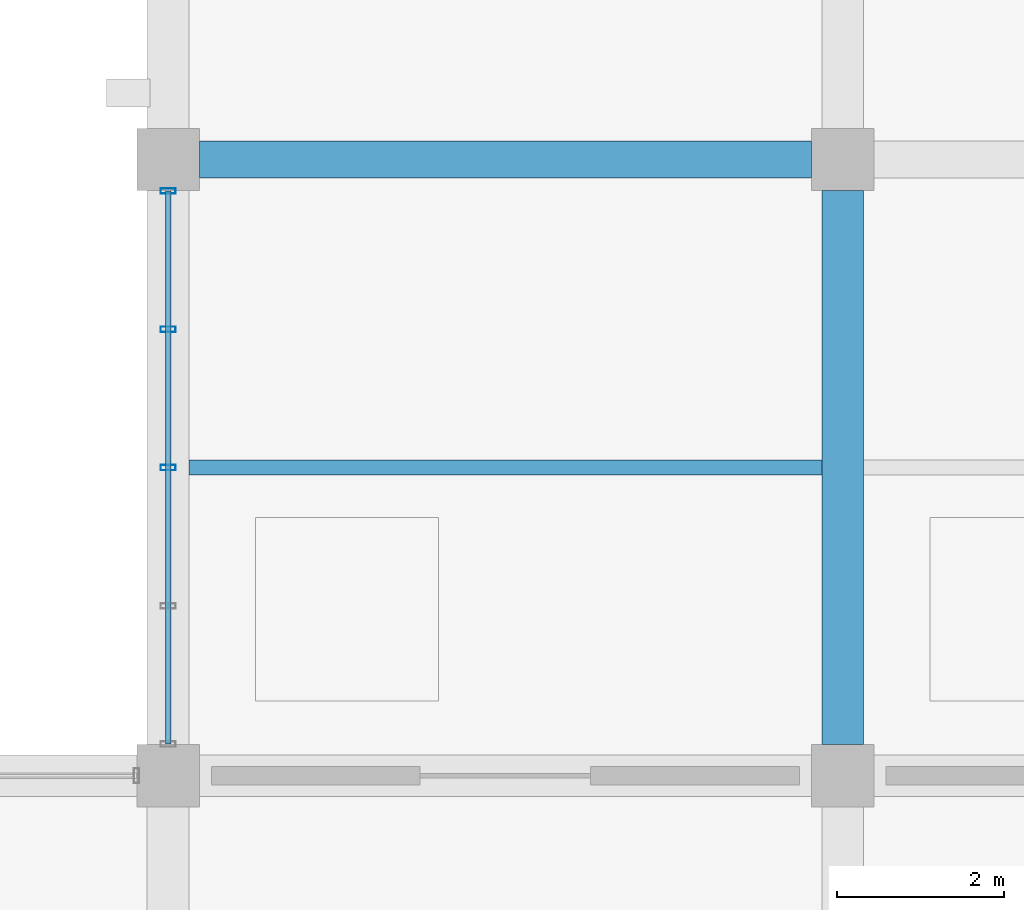
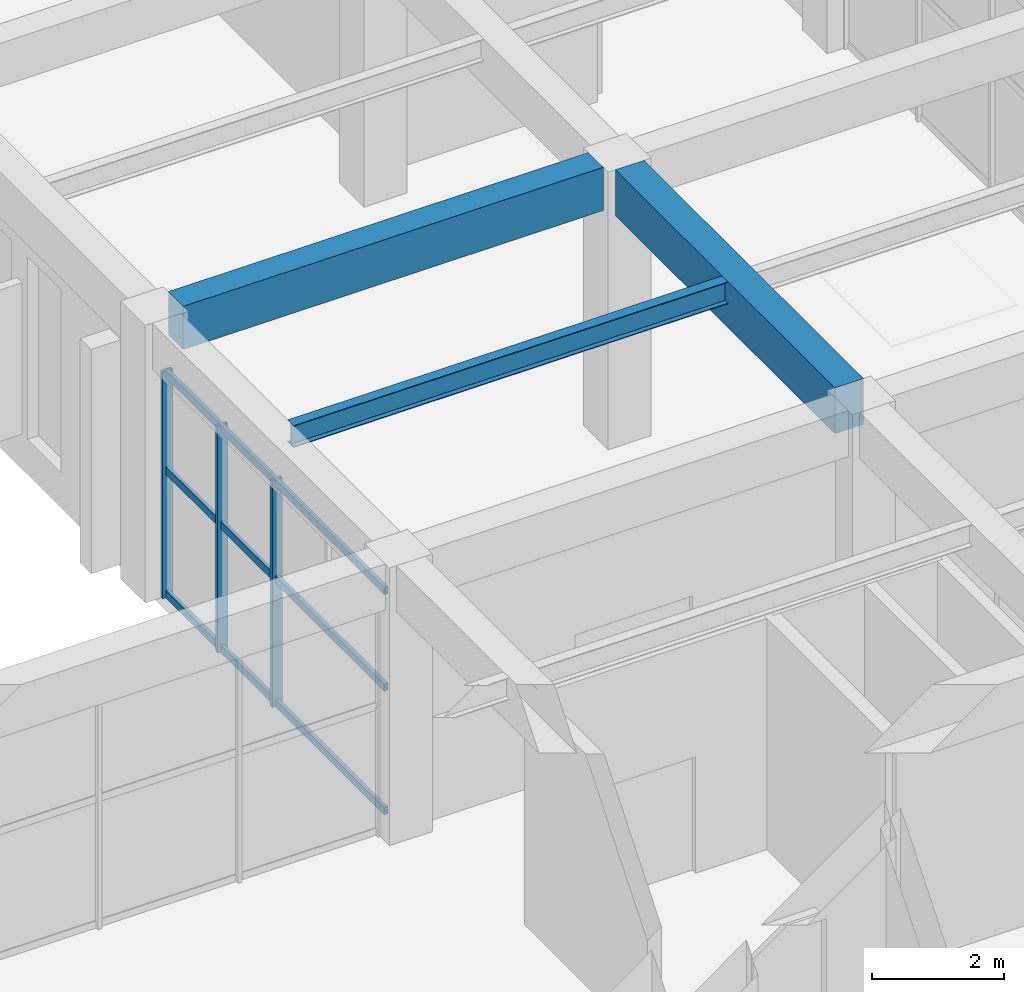
# One storey, part 18 of 140: 6 members, 3 beams, 1 element without a shape of its own.
"""IFC4 building model written with IfcOpenShell, lengths in metres."""

import ifcopenshell
import ifcopenshell.guid

model = None  # the IFC model being written
_history = None  # IfcOwnerHistory: only IFC2X3 demands one
_inside = {}  # id of a spatial element -> (the spatial element, [elements in it])
_under = {}  # id of a project, library or spatial element -> (it, [spatial elements below it])
_declared = {}  # id of a project -> (the project, [libraries it declares])
_typed = {}  # id of a type object -> (the type object, [elements of that type])
_made_of = {}  # id of a material, layer set ... -> (it, [elements and type objects made of it])


def new_model(schema):
    """Start an empty IFC model of exactly this schema.

    Asked for "IFC4X3", IfcOpenShell would pick the latest addendum, in which some entities
    have other attributes; the version numbers below select the first issue.
    IFC2X3 requires an IfcOwnerHistory on every rooted entity: one is made here for all.
    """
    global model, _history
    if schema == "IFC4X3":
        model = ifcopenshell.file(schema_version=(4, 3, 0, 0))
    else:
        model = ifcopenshell.file(schema=schema)
    _inside.clear()
    _under.clear()
    _declared.clear()
    _typed.clear()
    _made_of.clear()
    _history = None
    if model.schema == "IFC2X3":
        org = make("IfcOrganization", Name="unknown")
        user = make(
            "IfcPersonAndOrganization",
            ThePerson=make("IfcPerson", FamilyName="unknown"),
            TheOrganization=org,
        )
        app = make(
            "IfcApplication",
            ApplicationDeveloper=org,
            Version="unknown",
            ApplicationFullName="unknown",
            ApplicationIdentifier="unknown",
        )
        _history = make(
            "IfcOwnerHistory",
            OwningUser=user,
            OwningApplication=app,
            ChangeAction="ADDED",
            CreationDate=0,
        )
    return model


def make(cls, **values):
    """One entity of the class cls with the attributes given. An attribute that is None is left unset."""
    return model.create_entity(
        cls, **{name: value for name, value in values.items() if value is not None}
    )


def rooted(cls, **values):
    """An entity with a GlobalId (a new one), such as an element, a storey or a relation."""
    return make(cls, GlobalId=ifcopenshell.guid.new(), OwnerHistory=_history, **values)


def si_unit(unit_type, name, prefix=None):
    """IfcSIUnit, for example si_unit("LENGTHUNIT", "METRE", prefix="MILLI")."""
    return make("IfcSIUnit", UnitType=unit_type, Prefix=prefix, Name=name)


def assignment(units):
    """IfcUnitAssignment: the units of a project."""
    return None if units is None else make("IfcUnitAssignment", Units=units)


def point(xyz):
    """IfcCartesianPoint."""
    return None if xyz is None else make("IfcCartesianPoint", Coordinates=xyz)


def direction(xyz):
    """IfcDirection."""
    return None if xyz is None else make("IfcDirection", DirectionRatios=xyz)


def frame(location, z_axis=None, x_axis=None):
    """IfcAxis2Placement3D, a coordinate frame: its origin and axes. An axis left out is left unset."""
    return make(
        "IfcAxis2Placement3D",
        Location=point(location),
        Axis=direction(z_axis),
        RefDirection=direction(x_axis),
    )


def frame_2d(location, x_axis=None):
    """IfcAxis2Placement2D, a coordinate frame in the plane: its origin and x axis."""
    return make(
        "IfcAxis2Placement2D", Location=point(location), RefDirection=direction(x_axis)
    )


def origin():
    """The frame at (0, 0, 0) with its axes left unset."""
    return frame((0.0, 0.0, 0.0))


def origin_2d():
    """The frame at (0, 0) in the plane with its x axis left unset."""
    return frame_2d((0.0, 0.0))


def place(relative_to, where):
    """IfcLocalPlacement: puts the frame where relative to a parent placement (None: the world)."""
    return make(
        "IfcLocalPlacement", PlacementRelTo=relative_to, RelativePlacement=where
    )


def context(
    kind, dimensions, precision=None, world=None, true_north=None, identifier=None
):
    """IfcGeometricRepresentationContext, for example the 3D "Model" context."""
    return make(
        "IfcGeometricRepresentationContext",
        ContextIdentifier=identifier,
        ContextType=kind,
        CoordinateSpaceDimension=dimensions,
        Precision=precision,
        WorldCoordinateSystem=world,
        TrueNorth=true_north,
    )


def subcontext(parent, identifier, kind, view, scale=None):
    """IfcGeometricRepresentationSubContext, for example "Body" below "Model"."""
    return make(
        "IfcGeometricRepresentationSubContext",
        ContextIdentifier=identifier,
        ContextType=kind,
        ParentContext=parent,
        TargetScale=scale,
        TargetView=view,
    )


def project(units=None, contexts=None):
    """IfcProject with its units and contexts."""
    return rooted(
        "IfcProject",
        Name="project",
        RepresentationContexts=contexts,
        UnitsInContext=assignment(units),
    )


def spatial(cls, under=None, at=None, **own):
    """A site, building, storey or space (cls), placed at a placement, below another one or the project."""
    s = rooted(cls, ObjectPlacement=at, **own)
    if under is not None:
        _under.setdefault(under.id(), (under, []))[1].append(s)
    return s


def profile(cls, at=None, kind="AREA", **sizes):
    """A parametric profile (cls). Its sizes go by their IFC names, for example OverallWidth=200.0."""
    return make(cls, ProfileType=kind, Position=at, **sizes)


def rectangle(**sizes):
    """IfcRectangleProfileDef."""
    return profile("IfcRectangleProfileDef", **sizes)


def hollow_rectangle(**sizes):
    """IfcRectangleHollowProfileDef."""
    return profile("IfcRectangleHollowProfileDef", **sizes)


def i_section(**sizes):
    """IfcIShapeProfileDef."""
    return profile("IfcIShapeProfileDef", **sizes)


def extrude(swept, where, along, depth):
    """IfcExtrudedAreaSolid: the profile swept, set in the frame where, extruded along a direction by depth."""
    return make(
        "IfcExtrudedAreaSolid",
        SweptArea=swept,
        Position=where,
        ExtrudedDirection=direction(along),
        Depth=depth,
    )


def shape(context_of_items, identifier, shape_type, items):
    """IfcShapeRepresentation: the items that make up one representation, for example the "Body"."""
    return make(
        "IfcShapeRepresentation",
        ContextOfItems=context_of_items,
        RepresentationIdentifier=identifier,
        RepresentationType=shape_type,
        Items=items,
    )


def material(Name=None, Category=None):
    """IfcMaterial."""
    return make("IfcMaterial", Name=Name, Category=Category)


def material_profile(
    of_material, cross_section, Name=None, Category=None, Priority=None
):
    """IfcMaterialProfile: a cross section and its material."""
    return make(
        "IfcMaterialProfile",
        Name=Name,
        Material=of_material,
        Profile=cross_section,
        Priority=Priority,
        Category=Category,
    )


def profile_set(profiles, Name=None, composite=None):
    """IfcMaterialProfileSet."""
    return make(
        "IfcMaterialProfileSet",
        Name=Name,
        MaterialProfiles=profiles,
        CompositeProfile=composite,
    )


def made_of(thing, what):
    """Note that an element or type object is made of a material, layer set ...; save() writes the relation."""
    if what is not None:
        _made_of.setdefault(what.id(), (what, []))[1].append(thing)
    return thing


def type_object(cls, material=None, **own):
    """A type object (cls), such as IfcWallType, which elements share."""
    return made_of(rooted(cls, **own), material)


def element(
    cls,
    number,
    at=None,
    inside=None,
    cuts=None,
    type_object=None,
    material=None,
    context=None,
    identifier="Body",
    shape_type=None,
    held_by="IfcProductDefinitionShape",
    body=None,
    shapes=None,
    **own,
):
    """One element of the class cls, such as IfcWall. Its Tag is "e" and its number.

    at: its placement. inside: the storey or other place that contains it. cuts: it is an
    opening in that element (IfcRelVoidsElement). A single representation is given by context,
    identifier, shape_type and body (its items); several are given by shapes. held_by: the class
    of the entity that holds the representations. save() writes the other relations.
    """
    e = rooted(cls, Tag="e%d" % number, ObjectPlacement=at, **own)
    if body is not None:
        shapes = [shape(context, identifier, shape_type, body)]
    if shapes is not None:
        e.Representation = make(held_by, Representations=shapes)
    if inside is not None:
        _inside.setdefault(inside.id(), (inside, []))[1].append(e)
    if cuts is not None:
        rooted(
            "IfcRelVoidsElement", RelatingBuildingElement=cuts, RelatedOpeningElement=e
        )
    if type_object is not None:
        _typed.setdefault(type_object.id(), (type_object, []))[1].append(e)
    return made_of(e, material)


def aggregate(whole, parts):
    """IfcRelAggregates: a whole, such as a stair, and the parts it consists of."""
    return rooted("IfcRelAggregates", RelatingObject=whole, RelatedObjects=parts)


def save(model, path):
    """Write the relations noted so far, then the file.

    IfcRelAggregates (storeys below a building ...), IfcRelContainedInSpatialStructure (elements
    in a storey), IfcRelDefinesByType, IfcRelAssociatesMaterial and IfcRelDeclares: one each for
    every whole, place, type object, material and project.
    """
    for whole, parts in _under.values():
        aggregate(whole, parts)
    for where, things in _inside.values():
        rooted(
            "IfcRelContainedInSpatialStructure",
            RelatedElements=things,
            RelatingStructure=where,
        )
    for kind, things in _typed.values():
        rooted("IfcRelDefinesByType", RelatedObjects=things, RelatingType=kind)
    for what, things in _made_of.values():
        rooted("IfcRelAssociatesMaterial", RelatedObjects=things, RelatingMaterial=what)
    for by, libraries in _declared.values():
        rooted("IfcRelDeclares", RelatingContext=by, RelatedDefinitions=libraries)
    model.write(path)


model = new_model("IFC4")

# Units and contexts
model_context = context("Model", 3, precision=1e-05, world=origin(), true_north=direction((0.0, 1.0)))
body_context = subcontext(model_context, "Body", "Model", "MODEL_VIEW")
ifc_project = project(units=[si_unit("LENGTHUNIT", "METRE"), si_unit("AREAUNIT", "SQUARE_METRE"), si_unit("VOLUMEUNIT", "CUBIC_METRE"), si_unit("PLANEANGLEUNIT", "RADIAN"), si_unit("MASSUNIT", "GRAM", prefix="KILO")], contexts=[model_context])

# Site, building, storey
site_placement = place(None, origin())
site = spatial("IfcSite", under=ifc_project, at=site_placement, CompositionType="ELEMENT")
building_placement = place(site_placement, origin())
building = spatial("IfcBuilding", under=site, at=building_placement, Name="Cimatlan Art Gallery", CompositionType="ELEMENT")
storey_placement = place(building_placement, origin())
storey = spatial("IfcBuildingStorey", under=building, at=storey_placement, Name="L00", CompositionType="ELEMENT", Elevation=0.0)

# Beams
ifc_material_1 = material(Name="Concrete C40/50", Category="concrete")
ifc_material_profile_1 = material_profile(ifc_material_1, rectangle(XDim=0.449951171875, YDim=0.800048828125, at=origin_2d()), Name="RC450X800")
ifc_profile_set_1 = profile_set([ifc_material_profile_1], Name="Concrete C40/50")
beam_type_1 = type_object("IfcBeamType", Name="BM-RC-450X800", PredefinedType="BEAM", material=ifc_profile_set_1)
beam_1_placement = place(storey_placement, frame((34.77490234375, 46.10009765625, 4.735107421875), z_axis=(1.0, 0.0, 0.0), x_axis=(0.0, 1.0, 0.0)))
element("IfcBeam", 1, at=beam_1_placement, inside=storey, type_object=beam_type_1, Name="BM-X-L00-04-06", PredefinedType="BEAM", context=body_context, shape_type="SweptSolid", body=[
    extrude(rectangle(XDim=0.449951171875, YDim=0.800048828125, at=origin_2d()), origin(), (0.0, 0.0, 1.0), 7.35009765625),
])
ifc_material_profile_2 = material_profile(ifc_material_1, rectangle(XDim=0.5, YDim=0.85009765625, at=origin_2d()), Name="RC500X850")
ifc_profile_set_2 = profile_set([ifc_material_profile_2], Name="Concrete C40/50")
beam_type_2 = type_object("IfcBeamType", Name="BM-RC-500X850", PredefinedType="BEAM", material=ifc_profile_set_2)
beam_2_placement = place(storey_placement, frame((42.5, 39.074951171875, 4.7099609375), z_axis=(0.0, 1.0, 0.0), x_axis=(-1.0, 0.0, 0.0)))
element("IfcBeam", 2, at=beam_2_placement, inside=storey, type_object=beam_type_2, Name="BM-Y-L00-05-05", PredefinedType="BEAM", context=body_context, shape_type="SweptSolid", body=[
    extrude(rectangle(XDim=0.5, YDim=0.85009765625, at=origin_2d()), origin(), (0.0, 0.0, 1.0), 6.650146484375),
])
ifc_material_2 = material(Name="Steel ASTM A992 Grade 50", Category="steel")
ifc_material_profile_3 = material_profile(ifc_material_2, i_section(OverallWidth=0.177978515625, OverallDepth=0.406982421875, WebThickness=0.0078125, FlangeThickness=0.0126953125, at=origin_2d()), Name="W16X40")
ifc_profile_set_3 = profile_set([ifc_material_profile_3], Name="Steel ASTM A992 Grade 50")
beam_type_3 = type_object("IfcBeamType", Name="BM-STL-W16X40", PredefinedType="JOIST", material=ifc_profile_set_3)
beam_3_placement = place(storey_placement, frame((34.64990234375, 42.39990234375, 4.931396484375), z_axis=(1.0, 0.0, 0.0), x_axis=(0.0, 1.0, 0.0)))
element("IfcBeam", 3, at=beam_3_placement, inside=storey, type_object=beam_type_3, Name="JST-L00-04-05", PredefinedType="JOIST", context=body_context, shape_type="SweptSolid", body=[
    extrude(i_section(OverallWidth=0.177978515625, OverallDepth=0.406982421875, WebThickness=0.0078125, FlangeThickness=0.0126953125, at=origin_2d()), origin(), (0.0, 0.0, 1.0), 7.60009765625),
])

# Curtain wall, members
ifc_material_3 = material(Name="Anodised bronze unitised curtain wall")
curtain_wall_type = type_object("IfcCurtainWallType", Name="CW-V-06642X04195-B4", PredefinedType="NOTDEFINED", material=ifc_material_3)
curtain_wall_placement = place(storey_placement, origin())
curtain_wall = element("IfcCurtainWall", 4, at=curtain_wall_placement, inside=storey, type_object=curtain_wall_type, Name="CW-L00-04-05-W", PredefinedType="NOTDEFINED")
ifc_material_4 = material(Name="Anodised bronze aluminium 6063-T6", Category="aluminium")
ifc_material_profile_4 = material_profile(ifc_material_4, hollow_rectangle(XDim=0.06494140625, YDim=0.179931640625, WallThickness=0.00390625, at=origin_2d()), Name="ALU65X180X4")
ifc_profile_set_4 = profile_set([ifc_material_profile_4], Name="Anodised bronze aluminium 6063-T6")
member_type_1 = type_object("IfcMemberType", Name="CW-MUL-180", PredefinedType="MULLION", material=ifc_profile_set_4)
member_1_placement = place(storey_placement, frame((34.39990234375, 42.39990234375, 0.0), z_axis=(0.0, 0.0, 1.0), x_axis=(0.0, 1.0, 0.0)))
member_1 = element("IfcMember", 5, at=member_1_placement, type_object=member_type_1, Name="CW-L00-04-05-W-M3", PredefinedType="MULLION", context=body_context, shape_type="SweptSolid", body=[
    extrude(hollow_rectangle(XDim=0.06494140625, YDim=0.179931640625, WallThickness=0.00390625, at=origin_2d()), origin(), (0.0, 0.0, 1.0), 4.195068359375),
])
member_2_placement = place(storey_placement, frame((34.39990234375, 44.060546875, 0.0), z_axis=(0.0, 0.0, 1.0), x_axis=(0.0, 1.0, 0.0)))
member_2 = element("IfcMember", 6, at=member_2_placement, type_object=member_type_1, Name="CW-L00-04-05-W-M4", PredefinedType="MULLION", context=body_context, shape_type="SweptSolid", body=[
    extrude(hollow_rectangle(XDim=0.06494140625, YDim=0.179931640625, WallThickness=0.00390625, at=origin_2d()), origin(), (0.0, 0.0, 1.0), 4.195068359375),
])
member_3_placement = place(storey_placement, frame((34.39990234375, 45.720947265625, 0.0), z_axis=(0.0, 0.0, 1.0), x_axis=(0.0, 1.0, 0.0)))
member_3 = element("IfcMember", 7, at=member_3_placement, type_object=member_type_1, Name="CW-L00-04-05-W-M5", PredefinedType="MULLION", context=body_context, shape_type="SweptSolid", body=[
    extrude(hollow_rectangle(XDim=0.06494140625, YDim=0.179931640625, WallThickness=0.00390625, at=origin_2d()), origin(), (0.0, 0.0, 1.0), 4.195068359375),
])
ifc_material_profile_5 = material_profile(ifc_material_4, hollow_rectangle(XDim=0.06494140625, YDim=0.139892578125, WallThickness=0.00390625, at=origin_2d()), Name="ALU65X140X4")
ifc_profile_set_5 = profile_set([ifc_material_profile_5], Name="Anodised bronze aluminium 6063-T6")
member_type_2 = type_object("IfcMemberType", Name="CW-TRN-140", PredefinedType="USERDEFINED", material=ifc_profile_set_5)
member_4_placement = place(storey_placement, frame((34.39990234375, 39.0791015625, 0.06005859375), z_axis=(0.0, 1.0, 0.0), x_axis=(-1.0, 0.0, 0.0)))
member_4 = element("IfcMember", 8, at=member_4_placement, type_object=member_type_2, Name="CW-L00-04-05-W-T1", ObjectType="TRANSOM", PredefinedType="USERDEFINED", context=body_context, shape_type="SweptSolid", body=[
    extrude(hollow_rectangle(XDim=0.06494140625, YDim=0.139892578125, WallThickness=0.00390625, at=origin_2d()), origin(), (0.0, 0.0, 1.0), 6.641845703125),
])
member_5_placement = place(storey_placement, frame((34.39990234375, 39.0791015625, 2.34912109375), z_axis=(0.0, 1.0, 0.0), x_axis=(-1.0, 0.0, 0.0)))
member_5 = element("IfcMember", 9, at=member_5_placement, type_object=member_type_2, Name="CW-L00-04-05-W-T2", ObjectType="TRANSOM", PredefinedType="USERDEFINED", context=body_context, shape_type="SweptSolid", body=[
    extrude(hollow_rectangle(XDim=0.06494140625, YDim=0.139892578125, WallThickness=0.00390625, at=origin_2d()), origin(), (0.0, 0.0, 1.0), 6.641845703125),
])
member_6_placement = place(storey_placement, frame((34.39990234375, 39.0791015625, 4.135009765625), z_axis=(0.0, 1.0, 0.0), x_axis=(-1.0, 0.0, 0.0)))
member_6 = element("IfcMember", 10, at=member_6_placement, type_object=member_type_2, Name="CW-L00-04-05-W-T3", ObjectType="TRANSOM", PredefinedType="USERDEFINED", context=body_context, shape_type="SweptSolid", body=[
    extrude(hollow_rectangle(XDim=0.06494140625, YDim=0.139892578125, WallThickness=0.00390625, at=origin_2d()), origin(), (0.0, 0.0, 1.0), 6.641845703125),
])
aggregate(curtain_wall, [member_1, member_2, member_3, member_4, member_5, member_6])

save(model, "model.ifc")
